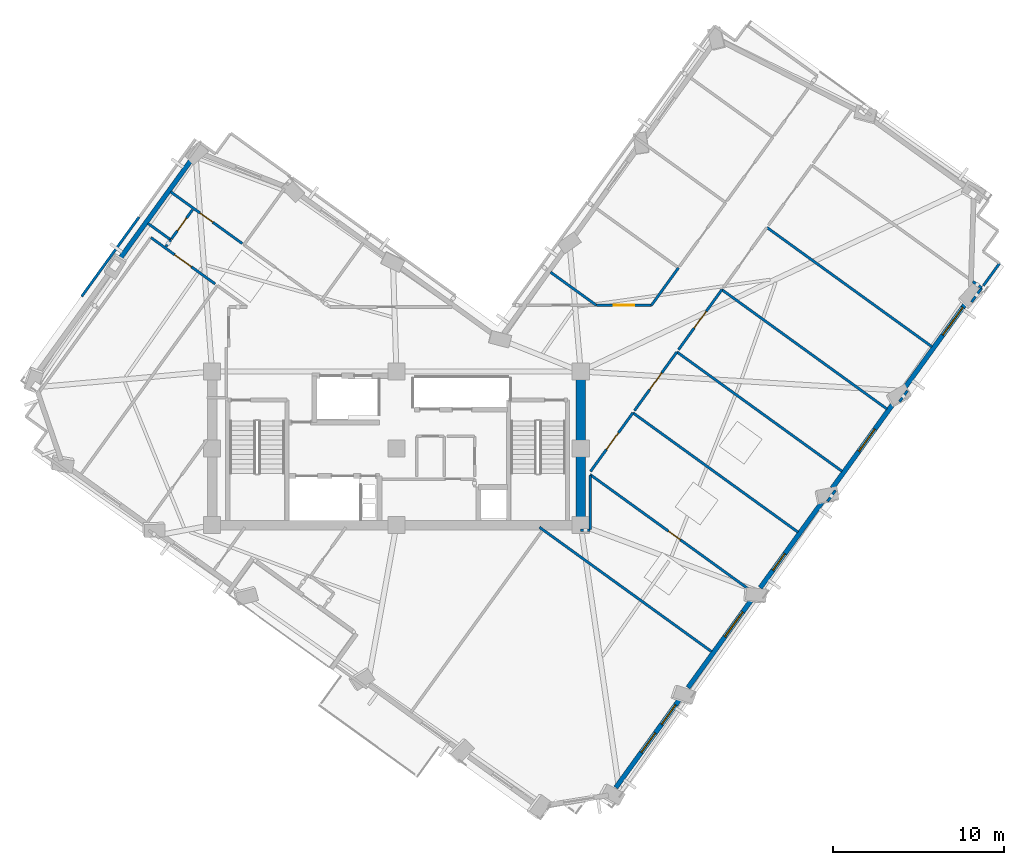
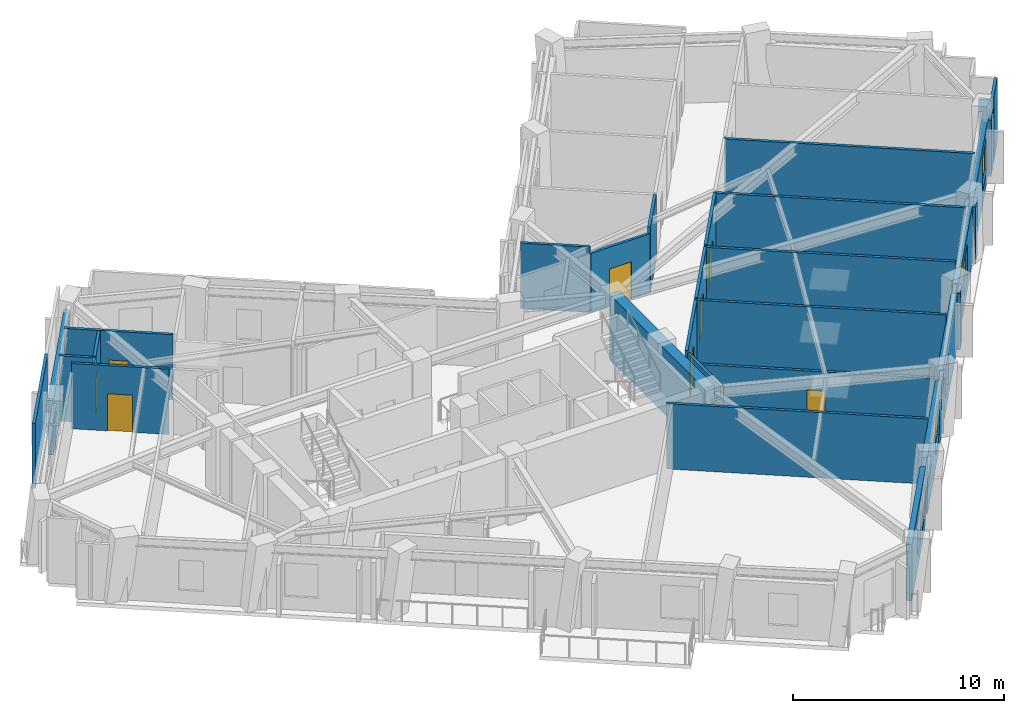
# One storey, part 6 of 13: 32 walls, 8 doors, 6 windows, 14 openings.
"""IFC4 building model written with IfcOpenShell, lengths in metres."""

import ifcopenshell
import ifcopenshell.guid

model = None  # the IFC model being written
_history = None  # IfcOwnerHistory: only IFC2X3 demands one
_inside = {}  # id of a spatial element -> (the spatial element, [elements in it])
_under = {}  # id of a project, library or spatial element -> (it, [spatial elements below it])
_declared = {}  # id of a project -> (the project, [libraries it declares])
_typed = {}  # id of a type object -> (the type object, [elements of that type])
_made_of = {}  # id of a material, layer set ... -> (it, [elements and type objects made of it])


def new_model(schema):
    """Start an empty IFC model of exactly this schema.

    Asked for "IFC4X3", IfcOpenShell would pick the latest addendum, in which some entities
    have other attributes; the version numbers below select the first issue.
    IFC2X3 requires an IfcOwnerHistory on every rooted entity: one is made here for all.
    """
    global model, _history
    if schema == "IFC4X3":
        model = ifcopenshell.file(schema_version=(4, 3, 0, 0))
    else:
        model = ifcopenshell.file(schema=schema)
    _inside.clear()
    _under.clear()
    _declared.clear()
    _typed.clear()
    _made_of.clear()
    _history = None
    if model.schema == "IFC2X3":
        org = make("IfcOrganization", Name="unknown")
        user = make(
            "IfcPersonAndOrganization",
            ThePerson=make("IfcPerson", FamilyName="unknown"),
            TheOrganization=org,
        )
        app = make(
            "IfcApplication",
            ApplicationDeveloper=org,
            Version="unknown",
            ApplicationFullName="unknown",
            ApplicationIdentifier="unknown",
        )
        _history = make(
            "IfcOwnerHistory",
            OwningUser=user,
            OwningApplication=app,
            ChangeAction="ADDED",
            CreationDate=0,
        )
    return model


def make(cls, **values):
    """One entity of the class cls with the attributes given. An attribute that is None is left unset."""
    return model.create_entity(
        cls, **{name: value for name, value in values.items() if value is not None}
    )


def rooted(cls, **values):
    """An entity with a GlobalId (a new one), such as an element, a storey or a relation."""
    return make(cls, GlobalId=ifcopenshell.guid.new(), OwnerHistory=_history, **values)


def si_unit(unit_type, name, prefix=None):
    """IfcSIUnit, for example si_unit("LENGTHUNIT", "METRE", prefix="MILLI")."""
    return make("IfcSIUnit", UnitType=unit_type, Prefix=prefix, Name=name)


def assignment(units):
    """IfcUnitAssignment: the units of a project."""
    return None if units is None else make("IfcUnitAssignment", Units=units)


def point(xyz):
    """IfcCartesianPoint."""
    return None if xyz is None else make("IfcCartesianPoint", Coordinates=xyz)


def direction(xyz):
    """IfcDirection."""
    return None if xyz is None else make("IfcDirection", DirectionRatios=xyz)


def frame(location, z_axis=None, x_axis=None):
    """IfcAxis2Placement3D, a coordinate frame: its origin and axes. An axis left out is left unset."""
    return make(
        "IfcAxis2Placement3D",
        Location=point(location),
        Axis=direction(z_axis),
        RefDirection=direction(x_axis),
    )


def frame_2d(location, x_axis=None):
    """IfcAxis2Placement2D, a coordinate frame in the plane: its origin and x axis."""
    return make(
        "IfcAxis2Placement2D", Location=point(location), RefDirection=direction(x_axis)
    )


def origin():
    """The frame at (0, 0, 0) with its axes left unset."""
    return frame((0.0, 0.0, 0.0))


def place(relative_to, where):
    """IfcLocalPlacement: puts the frame where relative to a parent placement (None: the world)."""
    return make(
        "IfcLocalPlacement", PlacementRelTo=relative_to, RelativePlacement=where
    )


def context(
    kind, dimensions, precision=None, world=None, true_north=None, identifier=None
):
    """IfcGeometricRepresentationContext, for example the 3D "Model" context."""
    return make(
        "IfcGeometricRepresentationContext",
        ContextIdentifier=identifier,
        ContextType=kind,
        CoordinateSpaceDimension=dimensions,
        Precision=precision,
        WorldCoordinateSystem=world,
        TrueNorth=true_north,
    )


def subcontext(parent, identifier, kind, view, scale=None):
    """IfcGeometricRepresentationSubContext, for example "Body" below "Model"."""
    return make(
        "IfcGeometricRepresentationSubContext",
        ContextIdentifier=identifier,
        ContextType=kind,
        ParentContext=parent,
        TargetScale=scale,
        TargetView=view,
    )


def project(units=None, contexts=None):
    """IfcProject with its units and contexts."""
    return rooted(
        "IfcProject",
        Name="project",
        RepresentationContexts=contexts,
        UnitsInContext=assignment(units),
    )


def spatial(cls, under=None, at=None, **own):
    """A site, building, storey or space (cls), placed at a placement, below another one or the project."""
    s = rooted(cls, ObjectPlacement=at, **own)
    if under is not None:
        _under.setdefault(under.id(), (under, []))[1].append(s)
    return s


def profile(cls, at=None, kind="AREA", **sizes):
    """A parametric profile (cls). Its sizes go by their IFC names, for example OverallWidth=200.0."""
    return make(cls, ProfileType=kind, Position=at, **sizes)


def rectangle(**sizes):
    """IfcRectangleProfileDef."""
    return profile("IfcRectangleProfileDef", **sizes)


def extrude(swept, where, along, depth):
    """IfcExtrudedAreaSolid: the profile swept, set in the frame where, extruded along a direction by depth."""
    return make(
        "IfcExtrudedAreaSolid",
        SweptArea=swept,
        Position=where,
        ExtrudedDirection=direction(along),
        Depth=depth,
    )


def shape(context_of_items, identifier, shape_type, items):
    """IfcShapeRepresentation: the items that make up one representation, for example the "Body"."""
    return make(
        "IfcShapeRepresentation",
        ContextOfItems=context_of_items,
        RepresentationIdentifier=identifier,
        RepresentationType=shape_type,
        Items=items,
    )


def material(Name=None, Category=None):
    """IfcMaterial."""
    return make("IfcMaterial", Name=Name, Category=Category)


def layer(
    of_material, thickness, ventilated=None, Name=None, Category=None, Priority=None
):
    """IfcMaterialLayer: one layer of a wall or slab, of a material (None: an air gap)."""
    return make(
        "IfcMaterialLayer",
        Material=of_material,
        LayerThickness=thickness,
        IsVentilated=ventilated,
        Name=Name,
        Category=Category,
        Priority=Priority,
    )


def layer_set(layers, Name=None):
    """IfcMaterialLayerSet."""
    return make("IfcMaterialLayerSet", MaterialLayers=layers, LayerSetName=Name)


def made_of(thing, what):
    """Note that an element or type object is made of a material, layer set ...; save() writes the relation."""
    if what is not None:
        _made_of.setdefault(what.id(), (what, []))[1].append(thing)
    return thing


def type_object(cls, material=None, **own):
    """A type object (cls), such as IfcWallType, which elements share."""
    return made_of(rooted(cls, **own), material)


def element(
    cls,
    number,
    at=None,
    inside=None,
    cuts=None,
    type_object=None,
    material=None,
    context=None,
    identifier="Body",
    shape_type=None,
    held_by="IfcProductDefinitionShape",
    body=None,
    shapes=None,
    **own,
):
    """One element of the class cls, such as IfcWall. Its Tag is "e" and its number.

    at: its placement. inside: the storey or other place that contains it. cuts: it is an
    opening in that element (IfcRelVoidsElement). A single representation is given by context,
    identifier, shape_type and body (its items); several are given by shapes. held_by: the class
    of the entity that holds the representations. save() writes the other relations.
    """
    e = rooted(cls, Tag="e%d" % number, ObjectPlacement=at, **own)
    if body is not None:
        shapes = [shape(context, identifier, shape_type, body)]
    if shapes is not None:
        e.Representation = make(held_by, Representations=shapes)
    if inside is not None:
        _inside.setdefault(inside.id(), (inside, []))[1].append(e)
    if cuts is not None:
        rooted(
            "IfcRelVoidsElement", RelatingBuildingElement=cuts, RelatedOpeningElement=e
        )
    if type_object is not None:
        _typed.setdefault(type_object.id(), (type_object, []))[1].append(e)
    return made_of(e, material)


def fill(opening, filler):
    """IfcRelFillsElement: the door or window that sits in an opening."""
    return rooted(
        "IfcRelFillsElement",
        RelatingOpeningElement=opening,
        RelatedBuildingElement=filler,
    )


def aggregate(whole, parts):
    """IfcRelAggregates: a whole, such as a stair, and the parts it consists of."""
    return rooted("IfcRelAggregates", RelatingObject=whole, RelatedObjects=parts)


def save(model, path):
    """Write the relations noted so far, then the file.

    IfcRelAggregates (storeys below a building ...), IfcRelContainedInSpatialStructure (elements
    in a storey), IfcRelDefinesByType, IfcRelAssociatesMaterial and IfcRelDeclares: one each for
    every whole, place, type object, material and project.
    """
    for whole, parts in _under.values():
        aggregate(whole, parts)
    for where, things in _inside.values():
        rooted(
            "IfcRelContainedInSpatialStructure",
            RelatedElements=things,
            RelatingStructure=where,
        )
    for kind, things in _typed.values():
        rooted("IfcRelDefinesByType", RelatedObjects=things, RelatingType=kind)
    for what, things in _made_of.values():
        rooted("IfcRelAssociatesMaterial", RelatedObjects=things, RelatingMaterial=what)
    for by, libraries in _declared.values():
        rooted("IfcRelDeclares", RelatingContext=by, RelatedDefinitions=libraries)
    model.write(path)


model = new_model("IFC4")

# Units and contexts
model_context = context("Model", 3, precision=1e-05, world=origin(), true_north=direction((0.0, 1.0)))
body_context = subcontext(model_context, "Body", "Model", "MODEL_VIEW")
ifc_project = project(units=[si_unit("LENGTHUNIT", "METRE"), si_unit("AREAUNIT", "SQUARE_METRE"), si_unit("VOLUMEUNIT", "CUBIC_METRE"), si_unit("PLANEANGLEUNIT", "RADIAN"), si_unit("MASSUNIT", "GRAM", prefix="KILO")], contexts=[model_context])

# Site, building, storey
site_placement = place(None, origin())
site = spatial("IfcSite", under=ifc_project, at=site_placement, CompositionType="ELEMENT")
building_placement = place(site_placement, origin())
building = spatial("IfcBuilding", under=site, at=building_placement, Name="Gaonmaruhae Medical Tower", CompositionType="ELEMENT")
storey_placement = place(building_placement, frame((0.0, 0.0, 255.199951171875)))
storey = spatial("IfcBuildingStorey", under=building, at=storey_placement, Name="L61", CompositionType="ELEMENT", Elevation=255.199951171875)

# Wall
ifc_material_1 = material(Name="Concrete C50/60", Category="concrete")
ifc_layer_1 = layer(ifc_material_1, 0.550048828125)
ifc_layer_set_1 = layer_set([ifc_layer_1], Name="Concrete C50/60")
wall_type_1 = type_object("IfcWallType", Name="CW-550 Mid-High Core Shear Wall", PredefinedType="SHEAR", material=ifc_layer_set_1)
wall_1_placement = place(storey_placement, frame((35.60009765625, 7.800048828125, 0.0), z_axis=(0.0, 0.0, 1.0), x_axis=(0.0, 1.0, 0.0)))
element("IfcWall", 1, at=wall_1_placement, inside=storey, type_object=wall_type_1, Name="L61 Core Shear Wall CSW-E1", PredefinedType="SHEAR", context=body_context, shape_type="SweptSolid", body=[
    extrude(rectangle(XDim=9.0, YDim=0.550048828125, at=frame_2d((4.5, 0.0))), origin(), (0.0, 0.0, 1.0), 3.780029296875),
])

# Wall, openings, windows
ifc_material_2 = material(Name="Precast concrete C45/55", Category="concrete")
ifc_layer_2 = layer(ifc_material_2, 0.280029296875)
ifc_layer_set_2 = layer_set([ifc_layer_2], Name="Precast concrete C45/55")
wall_type_2 = type_object("IfcWallType", Name="EW-280 Upper Precast Masonry-Frame Facade Wall", PredefinedType="SOLIDWALL", material=ifc_layer_set_2)
wall_2_placement = place(storey_placement, frame((41.452392578125, -2.323486328125, 0.0), z_axis=(0.0, 0.0, 1.0), x_axis=(-0.585670613968, -0.810549154546, 0.0)))
wall_2 = element("IfcWall", 2, at=wall_2_placement, inside=storey, type_object=wall_type_2, Name="L61 Precast Masonry-Frame Wall S01-S02", PredefinedType="SOLIDWALL", context=body_context, shape_type="SweptSolid", body=[
    extrude(rectangle(XDim=6.484619140625, YDim=0.280029296875, at=frame_2d((3.2421875, 0.0))), origin(), (0.0, 0.0, 1.0), 3.26513671875),
])
opening_1_placement = place(wall_2_placement, frame((2.5341796875, 0.0, 0.75)))
opening_1 = element("IfcOpeningElement", 3, at=opening_1_placement, cuts=wall_2, Name="Opening WN-03", PredefinedType="OPENING", context=body_context, shape_type="SweptSolid", body=[
    extrude(rectangle(XDim=1.39990234375, YDim=1.85009765625, at=frame_2d((0.699951171875, 0.925048828125))), frame((0.0, 0.14990234375, 0.0), z_axis=(0.0, -1.0, 0.0), x_axis=(1.0, 0.0, 0.0)), (0.0, 0.0, 1.0), 0.300048828125),
])
opening_2_placement = place(wall_2_placement, frame((0.50927734375, 0.0, 0.75)))
opening_2 = element("IfcOpeningElement", 4, at=opening_2_placement, cuts=wall_2, Name="Opening WN-03", PredefinedType="OPENING", context=body_context, shape_type="SweptSolid", body=[
    extrude(rectangle(XDim=1.39990234375, YDim=1.85009765625, at=frame_2d((0.699951171875, 0.925048828125))), frame((0.0, 0.14990234375, 0.0), z_axis=(0.0, -1.0, 0.0), x_axis=(1.0, 0.0, 0.0)), (0.0, 0.0, 1.0), 0.300048828125),
])
ifc_material_3 = material(Name="Anodised aluminium and Low-E double glazing", Category="aluminium")
window_type_1 = type_object("IfcWindowType", Name="WN-03 Isolation Ward Punched Window 1400x1850", PartitioningType="SINGLE_PANEL", PredefinedType="WINDOW", material=ifc_material_3)
window_1_placement = place(opening_1_placement, origin())
window_1 = element("IfcWindow", 5, at=window_1_placement, inside=storey, type_object=window_type_1, Name="L61 Modular Facade Window S01", OverallHeight=1.85009765625, OverallWidth=1.39990234375, PartitioningType="SINGLE_PANEL", PredefinedType="WINDOW", context=body_context, shape_type="SweptSolid", body=[
    extrude(rectangle(XDim=1.39990234375, YDim=1.85009765625, at=frame_2d((0.699951171875, 0.925048828125))), frame((0.0, 0.030029296875, 0.0), z_axis=(0.0, -1.0, 0.0), x_axis=(1.0, 0.0, 0.0)), (0.0, 0.0, 1.0), 0.06005859375),
])
fill(opening_1, window_1)
window_2_placement = place(opening_2_placement, origin())
window_2 = element("IfcWindow", 6, at=window_2_placement, inside=storey, type_object=window_type_1, Name="L61 Modular Facade Window S01B", OverallHeight=1.85009765625, OverallWidth=1.39990234375, PartitioningType="SINGLE_PANEL", PredefinedType="WINDOW", context=body_context, shape_type="SweptSolid", body=[
    extrude(rectangle(XDim=1.39990234375, YDim=1.85009765625, at=frame_2d((0.699951171875, 0.925048828125))), frame((0.0, 0.030029296875, 0.0), z_axis=(0.0, -1.0, 0.0), x_axis=(1.0, 0.0, 0.0)), (0.0, 0.0, 1.0), 0.06005859375),
])
fill(opening_2, window_2)

# Wall, opening, window
wall_3_placement = place(storey_placement, frame((45.65869140625, 3.498046875, 0.0), z_axis=(0.0, 0.0, 1.0), x_axis=(-0.585684358283, -0.810539223272, 0.0)))
wall_3 = element("IfcWall", 7, at=wall_3_placement, inside=storey, type_object=wall_type_2, Name="L61 Precast Masonry-Frame Wall S02-S03", PredefinedType="SOLIDWALL", context=body_context, shape_type="SweptSolid", body=[
    extrude(rectangle(XDim=6.438720703125, YDim=0.280029296875, at=frame_2d((3.21923828125, 0.0))), origin(), (0.0, 0.0, 1.0), 3.26513671875),
])
opening_3_placement = place(wall_3_placement, frame((0.957763671875, 0.0, 0.75)))
opening_3 = element("IfcOpeningElement", 8, at=opening_3_placement, cuts=wall_3, Name="Opening WN-04", PredefinedType="OPENING", context=body_context, shape_type="SweptSolid", body=[
    extrude(rectangle(XDim=1.800048828125, YDim=2.050048828125, at=frame_2d((0.89990234375, 1.02490234375))), frame((0.0, 0.14990234375, 0.0), z_axis=(0.0, -1.0, 0.0), x_axis=(1.0, 0.0, 0.0)), (0.0, 0.0, 1.0), 0.300048828125),
])
window_type_2 = type_object("IfcWindowType", Name="WN-04 Clinic & Consult Punched Window 1800x2050", PartitioningType="SINGLE_PANEL", PredefinedType="WINDOW", material=ifc_material_3)
window_3_placement = place(opening_3_placement, origin())
window_3 = element("IfcWindow", 9, at=window_3_placement, inside=storey, type_object=window_type_2, Name="L61 Modular Facade Window S02", OverallHeight=2.050048828125, OverallWidth=1.800048828125, PartitioningType="SINGLE_PANEL", PredefinedType="WINDOW", context=body_context, shape_type="SweptSolid", body=[
    extrude(rectangle(XDim=1.800048828125, YDim=2.050048828125, at=frame_2d((0.89990234375, 1.02490234375))), frame((0.0, 0.030029296875, 0.0), z_axis=(0.0, -1.0, 0.0), x_axis=(1.0, 0.0, 0.0)), (0.0, 0.0, 1.0), 0.06005859375),
])
fill(opening_3, window_3)

wall_4_placement = place(storey_placement, frame((49.87060546875, 9.327392578125, 0.0), z_axis=(0.0, 0.0, 1.0), x_axis=(-0.585658714941, -0.810557752177, 0.0)))
wall_4 = element("IfcWall", 10, at=wall_4_placement, inside=storey, type_object=wall_type_2, Name="L61 Precast Masonry-Frame Wall S03-S04", PredefinedType="SOLIDWALL", context=body_context, shape_type="SweptSolid", body=[
    extrude(rectangle(XDim=6.41357421875, YDim=0.280029296875, at=frame_2d((3.206787109375, 0.0))), origin(), (0.0, 0.0, 1.0), 3.26513671875),
])
opening_4_placement = place(wall_4_placement, frame((3.94580078125, 0.0, 0.75)))
opening_4 = element("IfcOpeningElement", 11, at=opening_4_placement, cuts=wall_4, Name="Opening WN-05", PredefinedType="OPENING", context=body_context, shape_type="SweptSolid", body=[
    extrude(rectangle(XDim=1.199951171875, YDim=1.75, at=frame_2d((0.60009765625, 0.875))), frame((0.0, 0.14990234375, 0.0), z_axis=(0.0, -1.0, 0.0), x_axis=(1.0, 0.0, 0.0)), (0.0, 0.0, 1.0), 0.300048828125),
])
window_type_3 = type_object("IfcWindowType", Name="WN-05 Support & Staff Punched Window 1200x1750", PartitioningType="SINGLE_PANEL", PredefinedType="WINDOW", material=ifc_material_3)
window_4_placement = place(opening_4_placement, origin())
window_4 = element("IfcWindow", 12, at=window_4_placement, inside=storey, type_object=window_type_3, Name="L61 Modular Facade Window S03", OverallHeight=1.75, OverallWidth=1.199951171875, PartitioningType="SINGLE_PANEL", PredefinedType="WINDOW", context=body_context, shape_type="SweptSolid", body=[
    extrude(rectangle(XDim=1.199951171875, YDim=1.75, at=frame_2d((0.60009765625, 0.875))), frame((0.0, 0.030029296875, 0.0), z_axis=(0.0, -1.0, 0.0), x_axis=(1.0, 0.0, 0.0)), (0.0, 0.0, 1.0), 0.06005859375),
])
fill(opening_4, window_4)

wall_5_placement = place(storey_placement, frame((54.087890625, 15.163818359375, 0.0), z_axis=(0.0, 0.0, 1.0), x_axis=(-0.585656107045, -0.810559636474, 0.0)))
wall_5 = element("IfcWall", 13, at=wall_5_placement, inside=storey, type_object=wall_type_2, Name="L61 Precast Masonry-Frame Wall S04-S05", PredefinedType="SOLIDWALL", context=body_context, shape_type="SweptSolid", body=[
    extrude(rectangle(XDim=6.40673828125, YDim=0.280029296875, at=frame_2d((3.203369140625, 0.0))), origin(), (0.0, 0.0, 1.0), 3.26513671875),
])
opening_5_placement = place(wall_5_placement, frame((2.143310546875, 0.0, 0.75)))
opening_5 = element("IfcOpeningElement", 14, at=opening_5_placement, cuts=wall_5, Name="Opening WN-01", PredefinedType="OPENING", context=body_context, shape_type="SweptSolid", body=[
    extrude(rectangle(XDim=1.60009765625, YDim=1.949951171875, at=frame_2d((0.800048828125, 0.97509765625))), frame((0.0, 0.14990234375, 0.0), z_axis=(0.0, -1.0, 0.0), x_axis=(1.0, 0.0, 0.0)), (0.0, 0.0, 1.0), 0.300048828125),
])
window_type_4 = type_object("IfcWindowType", Name="WN-01 Ward Punched Acoustic Window 1600x1950", PartitioningType="SINGLE_PANEL", PredefinedType="WINDOW", material=ifc_material_3)
window_5_placement = place(opening_5_placement, origin())
window_5 = element("IfcWindow", 15, at=window_5_placement, inside=storey, type_object=window_type_4, Name="L61 Modular Facade Window S04", OverallHeight=1.949951171875, OverallWidth=1.60009765625, PartitioningType="SINGLE_PANEL", PredefinedType="WINDOW", context=body_context, shape_type="SweptSolid", body=[
    extrude(rectangle(XDim=1.60009765625, YDim=1.949951171875, at=frame_2d((0.800048828125, 0.97509765625))), frame((0.0, 0.030029296875, 0.0), z_axis=(0.0, -1.0, 0.0), x_axis=(1.0, 0.0, 0.0)), (0.0, 0.0, 1.0), 0.06005859375),
])
fill(opening_5, window_5)

wall_6_placement = place(storey_placement, frame((58.310302734375, 21.0078125, 0.0), z_axis=(0.0, 0.0, 1.0), x_axis=(-0.585669695787, -0.810549817986, 0.0)))
wall_6 = element("IfcWall", 16, at=wall_6_placement, inside=storey, type_object=wall_type_2, Name="L61 Precast Masonry-Frame Wall S05-S06", PredefinedType="SOLIDWALL", context=body_context, shape_type="SweptSolid", body=[
    extrude(rectangle(XDim=6.41845703125, YDim=0.280029296875, at=frame_2d((3.209228515625, 0.0))), origin(), (0.0, 0.0, 1.0), 3.26513671875),
])
opening_6_placement = place(wall_6_placement, frame((0.56005859375, 0.0, 0.75)))
opening_6 = element("IfcOpeningElement", 17, at=opening_6_placement, cuts=wall_6, Name="Opening WN-02", PredefinedType="OPENING", context=body_context, shape_type="SweptSolid", body=[
    extrude(rectangle(XDim=2.0, YDim=1.949951171875, at=frame_2d((1.0, 0.97509765625))), frame((0.0, 0.14990234375, 0.0), z_axis=(0.0, -1.0, 0.0), x_axis=(1.0, 0.0, 0.0)), (0.0, 0.0, 1.0), 0.300048828125),
])
window_type_5 = type_object("IfcWindowType", Name="WN-02 Double-Bed Ward Punched Window 2000x1950", PartitioningType="SINGLE_PANEL", PredefinedType="WINDOW", material=ifc_material_3)
window_6_placement = place(opening_6_placement, origin())
window_6 = element("IfcWindow", 18, at=window_6_placement, inside=storey, type_object=window_type_5, Name="L61 Modular Facade Window S05", OverallHeight=1.949951171875, OverallWidth=2.0, PartitioningType="SINGLE_PANEL", PredefinedType="WINDOW", context=body_context, shape_type="SweptSolid", body=[
    extrude(rectangle(XDim=2.0, YDim=1.949951171875, at=frame_2d((1.0, 0.97509765625))), frame((0.0, 0.030029296875, 0.0), z_axis=(0.0, -1.0, 0.0), x_axis=(1.0, 0.0, 0.0)), (0.0, 0.0, 1.0), 0.06005859375),
])
fill(opening_6, window_6)

# Wall
wall_7_placement = place(storey_placement, frame((8.442626953125, 23.192626953125, 0.0), z_axis=(0.0, 0.0, 1.0), x_axis=(0.585665597158, 0.810552779469, 0.0)))
element("IfcWall", 19, at=wall_7_placement, inside=storey, type_object=wall_type_2, Name="L61 Precast Masonry-Frame Wall N01-N02", PredefinedType="SOLIDWALL", context=body_context, shape_type="SweptSolid", body=[
    extrude(rectangle(XDim=7.434326171875, YDim=0.280029296875, at=frame_2d((3.71728515625, 0.0))), origin(), (0.0, 0.0, 1.0), 3.26513671875),
])

# Wall, opening, door
ifc_material_4 = material(Name="Gypsum board partition", Category="gypsum")
ifc_layer_3 = layer(ifc_material_4, 0.14990234375)
ifc_layer_set_3 = layer_set([ifc_layer_3], Name="Gypsum board partition")
wall_type_3 = type_object("IfcWallType", Name="PW-150 Rated Clinical Corridor Partition", PredefinedType="PARTITIONING", material=ifc_layer_set_3)
wall_8_placement = place(storey_placement, frame((36.14990234375, 10.761962890625, 0.0), z_axis=(0.0, 0.0, 1.0), x_axis=(0.810568850791, -0.585643354037, 0.0)))
wall_8 = element("IfcWall", 20, at=wall_8_placement, inside=storey, type_object=wall_type_3, Name="L61 Interior Partition L61-SUP04-8", PredefinedType="PARTITIONING", context=body_context, shape_type="SweptSolid", body=[
    extrude(rectangle(XDim=12.191650390625, YDim=0.14990234375, at=frame_2d((6.095703125, 0.0))), origin(), (0.0, 0.0, 1.0), 3.1650390625),
])
opening_7_placement = place(wall_8_placement, frame((5.665771484375, 0.0, 0.0)))
opening_7 = element("IfcOpeningElement", 21, at=opening_7_placement, cuts=wall_8, Name="Opening AD-01", PredefinedType="OPENING", context=body_context, shape_type="SweptSolid", body=[
    extrude(rectangle(XDim=0.860107421875, YDim=2.06005859375, at=frame_2d((0.43017578125, 1.030029296875))), frame((0.0, 0.0849609375, 0.0), z_axis=(0.0, -1.0, 0.0), x_axis=(1.0, 0.0, 0.0)), (0.0, 0.0, 1.0), 0.169921875),
])
ifc_material_5 = material(Name="Powder-coated steel access door", Category="steel")
door_type_1 = type_object("IfcDoorType", Name="AD-01 Riser & Closet Access Fire Door 860x2060", OperationType="NOTDEFINED", PredefinedType="DOOR", material=ifc_material_5)
door_1_placement = place(opening_7_placement, origin())
door_1 = element("IfcDoor", 22, at=door_1_placement, inside=storey, type_object=door_type_1, Name="L61 Clinical Biomedical Charting Office Sliding Door", OperationType="SLIDING_TO_LEFT", OverallHeight=2.06005859375, OverallWidth=0.860107421875, PredefinedType="DOOR", context=body_context, shape_type="SweptSolid", body=[
    extrude(rectangle(XDim=0.860107421875, YDim=2.06005859375, at=frame_2d((0.43017578125, 1.030029296875))), frame((0.0, 0.02490234375, 0.0), z_axis=(0.0, -1.0, 0.0), x_axis=(1.0, 0.0, 0.0)), (0.0, 0.0, 1.0), 0.050048828125),
])
fill(opening_7, door_1)

# Walls
wall_9_placement = place(storey_placement, frame((43.26904296875, 0.386962890625, 0.0), z_axis=(0.0, 0.0, 1.0), x_axis=(-0.810534343192, 0.585691111855, 0.0)))
element("IfcWall", 23, at=wall_9_placement, inside=storey, type_object=wall_type_3, Name="L61 Interior Partition L61-SUP04-9", PredefinedType="PARTITIONING", context=body_context, shape_type="SweptSolid", body=[
    extrude(rectangle(XDim=12.443603515625, YDim=0.14990234375, at=frame_2d((6.2216796875, 0.0))), origin(), (0.0, 0.0, 1.0), 3.780029296875),
])
wall_10_placement = place(storey_placement, frame((35.60009765625, 7.5, 0.0), z_axis=(0.0, 0.0, 1.0), x_axis=(1.0, 0.0, 0.0)))
element("IfcWall", 24, at=wall_10_placement, inside=storey, type_object=wall_type_3, Name="L61 Interior Partition L61-SUP04-10", PredefinedType="PARTITIONING", context=body_context, shape_type="SweptSolid", body=[
    extrude(rectangle(XDim=0.5498046875, YDim=0.14990234375, at=frame_2d((0.27490234375, 0.0))), origin(), (0.0, 0.0, 1.0), 3.1650390625),
])
wall_11_placement = place(storey_placement, frame((36.14990234375, 7.550048828125, 0.0), z_axis=(0.0, 0.0, 1.0), x_axis=(0.0, 1.0, 0.0)))
element("IfcWall", 25, at=wall_11_placement, inside=storey, type_object=wall_type_3, Name="L61 Interior Partition L61-SUP04-11", PredefinedType="PARTITIONING", context=body_context, shape_type="SweptSolid", body=[
    extrude(rectangle(XDim=3.14990234375, YDim=0.14990234375, at=frame_2d((1.574951171875, 0.0))), origin(), (0.0, 0.0, 1.0), 3.780029296875),
])

# Wall, opening, door
wall_12_placement = place(storey_placement, frame((36.172119140625, 10.944091796875, 0.0), z_axis=(0.0, 0.0, 1.0), x_axis=(0.585723940183, 0.810510620471, 0.0)))
wall_12 = element("IfcWall", 26, at=wall_12_placement, inside=storey, type_object=wall_type_3, Name="L61 Interior Partition L61-SUP05-12", PredefinedType="PARTITIONING", context=body_context, shape_type="SweptSolid", body=[
    extrude(rectangle(XDim=4.239013671875, YDim=0.14990234375, at=frame_2d((2.11962890625, 0.0))), origin(), (0.0, 0.0, 1.0), 3.780029296875),
])
opening_8_placement = place(wall_12_placement, frame((1.593994140625, 0.0, 0.0)))
opening_8 = element("IfcOpeningElement", 27, at=opening_8_placement, cuts=wall_12, Name="Opening CD-02", PredefinedType="OPENING", context=body_context, shape_type="SweptSolid", body=[
    extrude(rectangle(XDim=1.199951171875, YDim=2.14990234375, at=frame_2d((0.60009765625, 1.074951171875))), frame((0.0, 0.0849609375, 0.0), z_axis=(0.0, -1.0, 0.0), x_axis=(1.0, 0.0, 0.0)), (0.0, 0.0, 1.0), 0.169921875),
])
ifc_material_6 = material(Name="Antimicrobial laminate timber fire door", Category="wood")
door_type_2 = type_object("IfcDoorType", Name="CD-02 Clinical Treatment & Procedure Door 1200x2150", OperationType="NOTDEFINED", PredefinedType="DOOR", material=ifc_material_6)
door_2_placement = place(opening_8_placement, origin())
door_2 = element("IfcDoor", 28, at=door_2_placement, inside=storey, type_object=door_type_2, Name="L61 Clinical Biomedical Charting Office Door", OperationType="SINGLE_SWING_RIGHT", OverallHeight=2.14990234375, OverallWidth=1.199951171875, PredefinedType="DOOR", context=body_context, shape_type="SweptSolid", body=[
    extrude(rectangle(XDim=1.199951171875, YDim=2.14990234375, at=frame_2d((0.60009765625, 1.074951171875))), frame((0.0, 0.02490234375, 0.0), z_axis=(0.0, -1.0, 0.0), x_axis=(1.0, 0.0, 0.0)), (0.0, 0.0, 1.0), 0.050048828125),
])
fill(opening_8, door_2)

# Wall
wall_13_placement = place(storey_placement, frame((38.655029296875, 14.3798828125, 0.0), z_axis=(0.0, 0.0, 1.0), x_axis=(0.810553530126, -0.585664558259, 0.0)))
element("IfcWall", 29, at=wall_13_placement, inside=storey, type_object=wall_type_3, Name="L61 Interior Partition L61-SUP05-13", PredefinedType="PARTITIONING", context=body_context, shape_type="SweptSolid", body=[
    extrude(rectangle(XDim=11.93505859375, YDim=0.14990234375, at=frame_2d((5.967529296875, 0.0))), origin(), (0.0, 0.0, 1.0), 3.780029296875),
])

# Wall, opening, door
wall_14_placement = place(storey_placement, frame((38.7490234375, 14.510009765625, 0.0), z_axis=(0.0, 0.0, 1.0), x_axis=(0.585587255826, 0.810609379303, 0.0)))
wall_14 = element("IfcWall", 30, at=wall_14_placement, inside=storey, type_object=wall_type_3, Name="L61 Interior Partition L61-SUP06-14", PredefinedType="PARTITIONING", context=body_context, shape_type="SweptSolid", body=[
    extrude(rectangle(XDim=4.239990234375, YDim=0.14990234375, at=frame_2d((2.1201171875, 0.0))), origin(), (0.0, 0.0, 1.0), 3.780029296875),
])
opening_9_placement = place(wall_14_placement, frame((1.52001953125, 0.0, 0.0)))
opening_9 = element("IfcOpeningElement", 31, at=opening_9_placement, cuts=wall_14, Name="Opening CD-02", PredefinedType="OPENING", context=body_context, shape_type="SweptSolid", body=[
    extrude(rectangle(XDim=1.199951171875, YDim=2.14990234375, at=frame_2d((0.60009765625, 1.074951171875))), frame((0.0, 0.0849609375, 0.0), z_axis=(0.0, -1.0, 0.0), x_axis=(1.0, 0.0, 0.0)), (0.0, 0.0, 1.0), 0.169921875),
])
door_3_placement = place(opening_9_placement, origin())
door_3 = element("IfcDoor", 32, at=door_3_placement, inside=storey, type_object=door_type_2, Name="L61 Clinical Biomedical Charting Office Door", OperationType="SINGLE_SWING_LEFT", OverallHeight=2.14990234375, OverallWidth=1.199951171875, PredefinedType="DOOR", context=body_context, shape_type="SweptSolid", body=[
    extrude(rectangle(XDim=1.199951171875, YDim=2.14990234375, at=frame_2d((0.60009765625, 1.074951171875))), frame((0.0, 0.02490234375, 0.0), z_axis=(0.0, -1.0, 0.0), x_axis=(1.0, 0.0, 0.0)), (0.0, 0.0, 1.0), 0.050048828125),
])
fill(opening_9, door_3)

# Walls
wall_15_placement = place(storey_placement, frame((41.23193359375, 17.947021484375, 0.0), z_axis=(0.0, 0.0, 1.0), x_axis=(0.810553530126, -0.585664558259, 0.0)))
element("IfcWall", 33, at=wall_15_placement, inside=storey, type_object=wall_type_3, Name="L61 Interior Partition L61-SUP06-15", PredefinedType="PARTITIONING", context=body_context, shape_type="SweptSolid", body=[
    extrude(rectangle(XDim=11.93505859375, YDim=0.14990234375, at=frame_2d((5.967529296875, 0.0))), origin(), (0.0, 0.0, 1.0), 3.780029296875),
])
wall_16_placement = place(storey_placement, frame((50.52197265625, 9.8359375, 0.0), z_axis=(0.0, 0.0, 1.0), x_axis=(-0.585445670431, -0.810711642308, 0.0)))
element("IfcWall", 34, at=wall_16_placement, inside=storey, type_object=wall_type_3, Name="L61 Interior Partition L61-SUP06-16", PredefinedType="PARTITIONING", context=body_context, shape_type="SweptSolid", body=[
    extrude(rectangle(XDim=0.79443359375, YDim=0.14990234375, at=frame_2d((0.397216796875, 0.0))), origin(), (0.0, 0.0, 1.0), 3.26513671875),
])

# Wall, opening, door
wall_17_placement = place(storey_placement, frame((41.325927734375, 18.075927734375, 0.0), z_axis=(0.0, 0.0, 1.0), x_axis=(0.585667160303, 0.810551650016, 0.0)))
wall_17 = element("IfcWall", 35, at=wall_17_placement, inside=storey, type_object=wall_type_3, Name="L61 Interior Partition L61-SUP07-17", PredefinedType="PARTITIONING", context=body_context, shape_type="SweptSolid", body=[
    extrude(rectangle(XDim=4.34033203125, YDim=0.14990234375, at=frame_2d((2.170166015625, 0.0))), origin(), (0.0, 0.0, 1.0), 3.780029296875),
])
opening_10_placement = place(wall_17_placement, frame((1.570068359375, 0.0, 0.0)))
opening_10 = element("IfcOpeningElement", 36, at=opening_10_placement, cuts=wall_17, Name="Opening CD-02", PredefinedType="OPENING", context=body_context, shape_type="SweptSolid", body=[
    extrude(rectangle(XDim=1.199951171875, YDim=2.14990234375, at=frame_2d((0.60009765625, 1.074951171875))), frame((0.0, 0.0849609375, 0.0), z_axis=(0.0, -1.0, 0.0), x_axis=(1.0, 0.0, 0.0)), (0.0, 0.0, 1.0), 0.169921875),
])
door_4_placement = place(opening_10_placement, origin())
door_4 = element("IfcDoor", 37, at=door_4_placement, inside=storey, type_object=door_type_2, Name="L61 Clinical Biomedical Charting Office Door", OperationType="SINGLE_SWING_RIGHT", OverallHeight=2.14990234375, OverallWidth=1.199951171875, PredefinedType="DOOR", context=body_context, shape_type="SweptSolid", body=[
    extrude(rectangle(XDim=1.199951171875, YDim=2.14990234375, at=frame_2d((0.60009765625, 1.074951171875))), frame((0.0, 0.02490234375, 0.0), z_axis=(0.0, -1.0, 0.0), x_axis=(1.0, 0.0, 0.0)), (0.0, 0.0, 1.0), 0.050048828125),
])
fill(opening_10, door_4)

# Walls
wall_18_placement = place(storey_placement, frame((43.867919921875, 21.593994140625, 0.0), z_axis=(0.0, 0.0, 1.0), x_axis=(0.810525461994, -0.585703402295, 0.0)))
element("IfcWall", 38, at=wall_18_placement, inside=storey, type_object=wall_type_3, Name="L61 Interior Partition L61-SUP07-18", PredefinedType="PARTITIONING", context=body_context, shape_type="SweptSolid", body=[
    extrude(rectangle(XDim=11.934326171875, YDim=0.14990234375, at=frame_2d((5.96728515625, 0.0))), origin(), (0.0, 0.0, 1.0), 3.780029296875),
])
wall_19_placement = place(storey_placement, frame((46.5029296875, 25.241943359375, 0.0), z_axis=(0.0, 0.0, 1.0), x_axis=(0.810553530126, -0.585664558259, 0.0)))
element("IfcWall", 39, at=wall_19_placement, inside=storey, type_object=wall_type_3, Name="L61 Interior Partition L61-SUP08-20", PredefinedType="PARTITIONING", context=body_context, shape_type="SweptSolid", body=[
    extrude(rectangle(XDim=11.93505859375, YDim=0.14990234375, at=frame_2d((5.967529296875, 0.0))), origin(), (0.0, 0.0, 1.0), 3.780029296875),
])
wall_20_placement = place(storey_placement, frame((54.738037109375, 15.6708984375, 0.0), z_axis=(0.0, 0.0, 1.0), x_axis=(-0.585951871419, -0.810345854793, 0.0)))
element("IfcWall", 40, at=wall_20_placement, inside=storey, type_object=wall_type_3, Name="L61 Interior Partition L61-SUP08-21", PredefinedType="PARTITIONING", context=body_context, shape_type="SweptSolid", body=[
    extrude(rectangle(XDim=0.7919921875, YDim=0.14990234375, at=frame_2d((0.39599609375, 0.0))), origin(), (0.0, 0.0, 1.0), 3.26513671875),
])
wall_21_placement = place(storey_placement, frame((58.572998046875, 22.072021484375, 0.0), z_axis=(0.0, 0.0, 1.0), x_axis=(0.810578678886, -0.585629751067, 0.0)))
element("IfcWall", 41, at=wall_21_placement, inside=storey, type_object=wall_type_3, Name="L61 Interior Partition L61-SUP09-24", PredefinedType="PARTITIONING", context=body_context, shape_type="SweptSolid", body=[
    extrude(rectangle(XDim=0.640380859375, YDim=0.14990234375, at=frame_2d((0.3203125, 0.0))), origin(), (0.0, 0.0, 1.0), 3.780029296875),
])
wall_22_placement = place(storey_placement, frame((59.092041015625, 21.697021484375, 0.0), z_axis=(0.0, 0.0, 1.0), x_axis=(-0.58541161529, -0.810736233731, 0.0)))
element("IfcWall", 42, at=wall_22_placement, inside=storey, type_object=wall_type_3, Name="L61 Interior Partition L61-SUP09-25", PredefinedType="PARTITIONING", context=body_context, shape_type="SweptSolid", body=[
    extrude(rectangle(XDim=1.016357421875, YDim=0.14990234375, at=frame_2d((0.50830078125, 0.0))), origin(), (0.0, 0.0, 1.0), 3.26513671875),
])
wall_23_placement = place(storey_placement, frame((60.137939453125, 23.14404296875, 0.0), z_axis=(0.0, 0.0, 1.0), x_axis=(-0.58574832326, -0.810492999228, 0.0)))
element("IfcWall", 43, at=wall_23_placement, inside=storey, type_object=wall_type_3, Name="L61 Interior Partition L61-SUP10-28", PredefinedType="PARTITIONING", context=body_context, shape_type="SweptSolid", body=[
    extrude(rectangle(XDim=1.625, YDim=0.14990234375, at=frame_2d((0.8125, 0.0))), origin(), (0.0, 0.0, 1.0), 3.780029296875),
])

# Wall, opening, door
wall_24_placement = place(storey_placement, frame((10.4189453125, 24.64697265625, 0.0), z_axis=(0.0, 0.0, 1.0), x_axis=(0.810600131972, -0.585600056392, 0.0)))
wall_24 = element("IfcWall", 44, at=wall_24_placement, inside=storey, type_object=wall_type_3, Name="L61 Interior Partition L61-WOF16-52", PredefinedType="PARTITIONING", context=body_context, shape_type="SweptSolid", body=[
    extrude(rectangle(XDim=4.6396484375, YDim=0.14990234375, at=frame_2d((2.31982421875, 0.0))), origin(), (0.0, 0.0, 1.0), 3.780029296875),
])
opening_11_placement = place(wall_24_placement, frame((1.719970703125, 0.0, 0.0)))
opening_11 = element("IfcOpeningElement", 45, at=opening_11_placement, cuts=wall_24, Name="Opening CD-02", PredefinedType="OPENING", context=body_context, shape_type="SweptSolid", body=[
    extrude(rectangle(XDim=1.199951171875, YDim=2.14990234375, at=frame_2d((0.60009765625, 1.074951171875))), frame((0.0, 0.0849609375, 0.0), z_axis=(0.0, -1.0, 0.0), x_axis=(1.0, 0.0, 0.0)), (0.0, 0.0, 1.0), 0.169921875),
])
door_5_placement = place(opening_11_placement, origin())
door_5 = element("IfcDoor", 46, at=door_5_placement, inside=storey, type_object=door_type_2, Name="L61 Ward Physician Reporting Office Door", OperationType="SINGLE_SWING_RIGHT", OverallHeight=2.14990234375, OverallWidth=1.199951171875, PredefinedType="DOOR", context=body_context, shape_type="SweptSolid", body=[
    extrude(rectangle(XDim=1.199951171875, YDim=2.14990234375, at=frame_2d((0.60009765625, 1.074951171875))), frame((0.0, 0.02490234375, 0.0), z_axis=(0.0, -1.0, 0.0), x_axis=(1.0, 0.0, 0.0)), (0.0, 0.0, 1.0), 0.050048828125),
])
fill(opening_11, door_5)

# Wall
wall_25_placement = place(storey_placement, frame((41.325927734375, 22.875, 0.0), z_axis=(0.0, 0.0, 1.0), x_axis=(-0.585638666842, -0.810572237311, 0.0)))
element("IfcWall", 47, at=wall_25_placement, inside=storey, type_object=wall_type_3, Name="L61 Interior Partition L61-IE03-59", PredefinedType="PARTITIONING", context=body_context, shape_type="SweptSolid", body=[
    extrude(rectangle(XDim=2.7080078125, YDim=0.14990234375, at=frame_2d((1.35400390625, 0.0))), origin(), (0.0, 0.0, 1.0), 3.780029296875),
])

# Wall, opening, door
wall_26_placement = place(storey_placement, frame((39.739990234375, 20.679931640625, 0.0), z_axis=(0.0, 0.0, 1.0), x_axis=(-1.0, 0.0, 0.0)))
wall_26 = element("IfcWall", 48, at=wall_26_placement, inside=storey, type_object=wall_type_3, Name="L61 Interior Partition L61-IE03-60", PredefinedType="PARTITIONING", context=body_context, shape_type="SweptSolid", body=[
    extrude(rectangle(XDim=3.22509765625, YDim=0.14990234375, at=frame_2d((1.612548828125, 0.0))), origin(), (0.0, 0.0, 1.0), 3.4150390625),
])
opening_12_placement = place(wall_26_placement, frame((1.012451171875, 0.0, 0.0)))
opening_12 = element("IfcOpeningElement", 49, at=opening_12_placement, cuts=wall_26, Name="Opening CD-02", PredefinedType="OPENING", context=body_context, shape_type="SweptSolid", body=[
    extrude(rectangle(XDim=1.199951171875, YDim=2.14990234375, at=frame_2d((0.60009765625, 1.074951171875))), frame((0.0, 0.0849609375, 0.0), z_axis=(0.0, -1.0, 0.0), x_axis=(1.0, 0.0, 0.0)), (0.0, 0.0, 1.0), 0.169921875),
])
door_6_placement = place(opening_12_placement, origin())
door_6 = element("IfcDoor", 50, at=door_6_placement, inside=storey, type_object=door_type_2, Name="L61 Clean Medication Preparation Room Door", OperationType="SINGLE_SWING_LEFT", OverallHeight=2.14990234375, OverallWidth=1.199951171875, PredefinedType="DOOR", context=body_context, shape_type="SweptSolid", body=[
    extrude(rectangle(XDim=1.199951171875, YDim=2.14990234375, at=frame_2d((0.60009765625, 1.074951171875))), frame((0.0, 0.02490234375, 0.0), z_axis=(0.0, -1.0, 0.0), x_axis=(1.0, 0.0, 0.0)), (0.0, 0.0, 1.0), 0.050048828125),
])
fill(opening_12, door_6)

# Wall
wall_27_placement = place(storey_placement, frame((36.514892578125, 20.679931640625, 0.0), z_axis=(0.0, 0.0, 1.0), x_axis=(-0.810587832846, 0.58561708073, 0.0)))
element("IfcWall", 51, at=wall_27_placement, inside=storey, type_object=wall_type_3, Name="L61 Interior Partition L61-IE03-61", PredefinedType="PARTITIONING", context=body_context, shape_type="SweptSolid", body=[
    extrude(rectangle(XDim=3.31103515625, YDim=0.14990234375, at=frame_2d((1.655517578125, 0.0))), origin(), (0.0, 0.0, 1.0), 3.780029296875),
])

# Wall, opening, door
wall_28_placement = place(storey_placement, frame((15.76806640625, 24.299072265625, 0.0), z_axis=(0.0, 0.0, 1.0), x_axis=(-0.810655591008, 0.58552328115, 0.0)))
wall_28 = element("IfcWall", 52, at=wall_28_placement, inside=storey, type_object=wall_type_3, Name="L61 Interior Partition L61-IN03-87", PredefinedType="PARTITIONING", context=body_context, shape_type="SweptSolid", body=[
    extrude(rectangle(XDim=5.1748046875, YDim=0.14990234375, at=frame_2d((2.58740234375, 0.0))), origin(), (0.0, 0.0, 1.0), 3.780029296875),
])
opening_13_placement = place(wall_28_placement, frame((2.12744140625, 0.0, 0.0)))
opening_13 = element("IfcOpeningElement", 53, at=opening_13_placement, cuts=wall_28, Name="Opening UD-01", PredefinedType="OPENING", context=body_context, shape_type="SweptSolid", body=[
    extrude(rectangle(XDim=0.919921875, YDim=2.10009765625, at=frame_2d((0.4599609375, 1.050048828125))), frame((0.0, 0.0849609375, 0.0), z_axis=(0.0, -1.0, 0.0), x_axis=(1.0, 0.0, 0.0)), (0.0, 0.0, 1.0), 0.169921875),
])
ifc_material_7 = material(Name="Powder-coated steel utility door", Category="steel")
door_type_3 = type_object("IfcDoorType", Name="UD-01 Toilet, Utility & Housekeeping Door 920x2100", OperationType="NOTDEFINED", PredefinedType="DOOR", material=ifc_material_7)
door_7_placement = place(opening_13_placement, origin())
door_7 = element("IfcDoor", 54, at=door_7_placement, inside=storey, type_object=door_type_3, Name="L61 Public Visitor Toilet Door", OperationType="SINGLE_SWING_RIGHT", OverallHeight=2.10009765625, OverallWidth=0.919921875, PredefinedType="DOOR", context=body_context, shape_type="SweptSolid", body=[
    extrude(rectangle(XDim=0.919921875, YDim=2.10009765625, at=frame_2d((0.4599609375, 1.050048828125))), frame((0.0, 0.02490234375, 0.0), z_axis=(0.0, -1.0, 0.0), x_axis=(1.0, 0.0, 0.0)), (0.0, 0.0, 1.0), 0.050048828125),
])
fill(opening_13, door_7)

# Walls
wall_29_placement = place(storey_placement, frame((6.362060546875, 21.200927734375, 0.0), z_axis=(0.0, 0.0, 1.0), x_axis=(0.585603930262, 0.810597333367, 0.0)))
element("IfcWall", 55, at=wall_29_placement, inside=storey, type_object=wall_type_3, Name="L61 Interior Partition L61-RM02-92", PredefinedType="PARTITIONING", context=body_context, shape_type="SweptSolid", body=[
    extrude(rectangle(XDim=5.739013671875, YDim=0.14990234375, at=frame_2d((2.86962890625, 0.0))), origin(), (0.0, 0.0, 1.0), 3.780029296875),
])
wall_30_placement = place(storey_placement, frame((10.238037109375, 25.48095703125, 0.0), z_axis=(0.0, 0.0, 1.0), x_axis=(0.810753116581, -0.585388233529, 0.0)))
element("IfcWall", 56, at=wall_30_placement, inside=storey, type_object=wall_type_3, Name="L61 Interior Partition L61-RM02-93", PredefinedType="PARTITIONING", context=body_context, shape_type="SweptSolid", body=[
    extrude(rectangle(XDim=1.6552734375, YDim=0.14990234375, at=frame_2d((0.82763671875, 0.0))), origin(), (0.0, 0.0, 1.0), 3.780029296875),
])
wall_31_placement = place(storey_placement, frame((11.580078125, 24.511962890625, 0.0), z_axis=(0.0, 0.0, 1.0), x_axis=(-0.585883500757, -0.810395288449, 0.0)))
element("IfcWall", 57, at=wall_31_placement, inside=storey, type_object=wall_type_3, Name="L61 Interior Partition L61-RM02-94", PredefinedType="PARTITIONING", context=body_context, shape_type="SweptSolid", body=[
    extrude(rectangle(XDim=0.476318359375, YDim=0.14990234375, at=frame_2d((0.23828125, 0.0))), origin(), (0.0, 0.0, 1.0), 3.780029296875),
])

# Wall, opening, door
wall_32_placement = place(storey_placement, frame((12.85595703125, 26.279052734375, 0.0), z_axis=(0.0, 0.0, 1.0), x_axis=(-0.585545230092, -0.810639737193, 0.0)))
wall_32 = element("IfcWall", 58, at=wall_32_placement, inside=storey, type_object=wall_type_3, Name="L61 Interior Partition L61-RM03-95", PredefinedType="PARTITIONING", context=body_context, shape_type="SweptSolid", body=[
    extrude(rectangle(XDim=2.119384765625, YDim=0.14990234375, at=frame_2d((1.0595703125, 0.0))), origin(), (0.0, 0.0, 1.0), 3.780029296875),
])
opening_14_placement = place(wall_32_placement, frame((0.599609375, 0.0, 0.0)))
opening_14 = element("IfcOpeningElement", 59, at=opening_14_placement, cuts=wall_32, Name="Opening UD-01", PredefinedType="OPENING", context=body_context, shape_type="SweptSolid", body=[
    extrude(rectangle(XDim=0.919921875, YDim=2.10009765625, at=frame_2d((0.4599609375, 1.050048828125))), frame((0.0, 0.0849609375, 0.0), z_axis=(0.0, -1.0, 0.0), x_axis=(1.0, 0.0, 0.0)), (0.0, 0.0, 1.0), 0.169921875),
])
door_8_placement = place(opening_14_placement, origin())
door_8 = element("IfcDoor", 60, at=door_8_placement, inside=storey, type_object=door_type_3, Name="L61 Biomedical Mobile Equipment Bay Door", OperationType="SINGLE_SWING_LEFT", OverallHeight=2.10009765625, OverallWidth=0.919921875, PredefinedType="DOOR", context=body_context, shape_type="SweptSolid", body=[
    extrude(rectangle(XDim=0.919921875, YDim=2.10009765625, at=frame_2d((0.4599609375, 1.050048828125))), frame((0.0, 0.02490234375, 0.0), z_axis=(0.0, -1.0, 0.0), x_axis=(1.0, 0.0, 0.0)), (0.0, 0.0, 1.0), 0.050048828125),
])
fill(opening_14, door_8)

save(model, "model.ifc")
